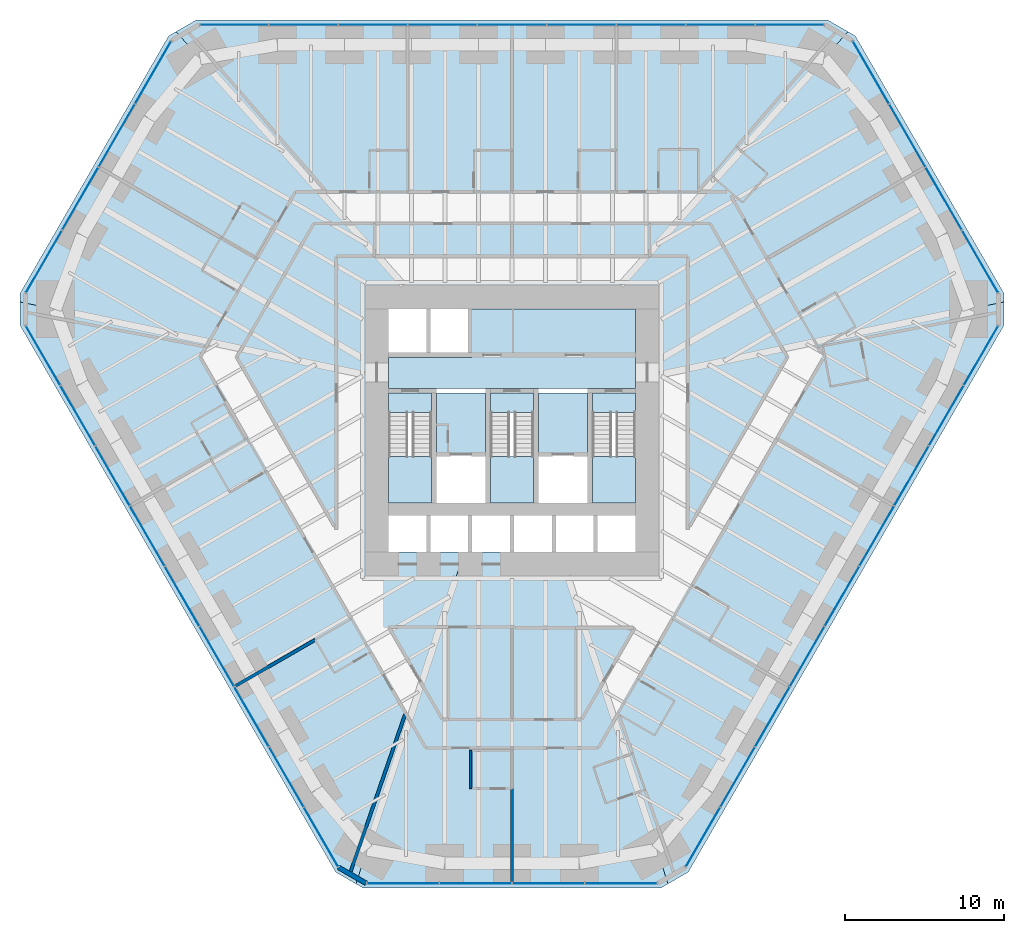
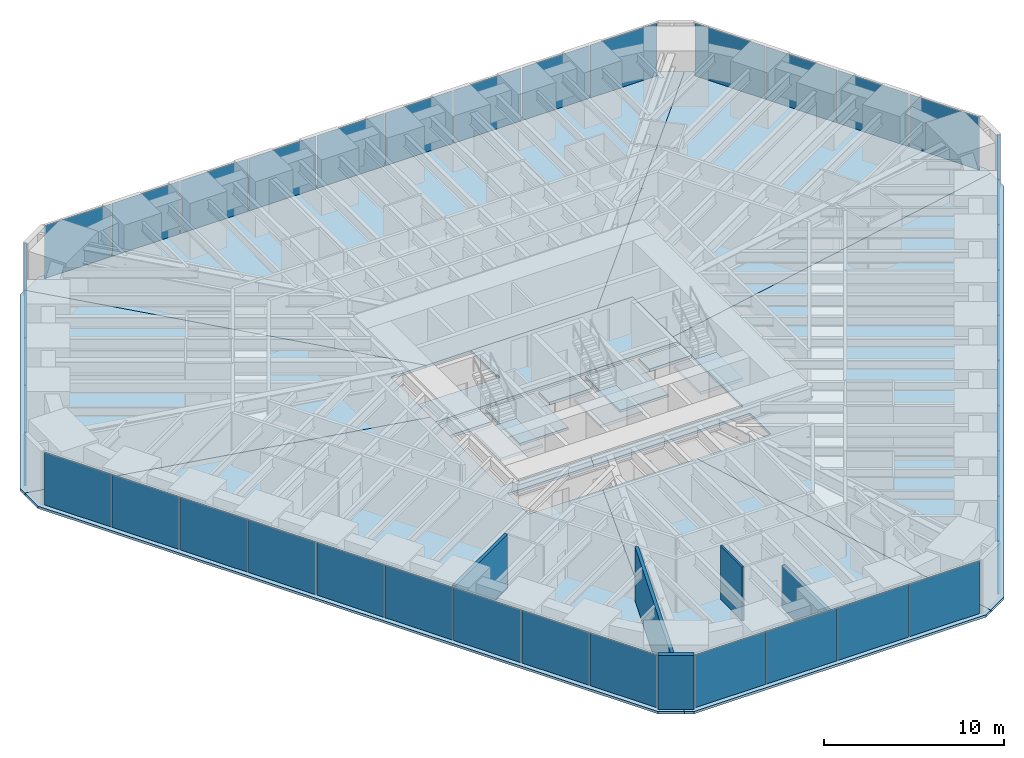
# One storey, part 10 of 17: 39 plates, 15 slabs, 5 walls, 9 elements without a shape of their own.
"""IFC4 building model written with IfcOpenShell, lengths in metres."""

from ifc_helpers import new_model, si_unit, direction, frame, frame_2d, origin, origin_2d, place, context, subcontext, project, spatial, polyline, rectangle, outline, extrude, material, layer, layer_set, type_object, element, aggregate, save


model = new_model("IFC4")

# Units and contexts
model_context = context("Model", 3, precision=1e-05, world=origin(), true_north=direction((0.0, 1.0)))
body_context = subcontext(model_context, "Body", "Model", "MODEL_VIEW")
ifc_project = project(units=[si_unit("LENGTHUNIT", "METRE"), si_unit("AREAUNIT", "SQUARE_METRE"), si_unit("VOLUMEUNIT", "CUBIC_METRE"), si_unit("PLANEANGLEUNIT", "RADIAN"), si_unit("MASSUNIT", "GRAM", prefix="KILO")], contexts=[model_context])

# Site, building, storey
site_placement = place(None, origin())
site = spatial("IfcSite", under=ifc_project, at=site_placement, CompositionType="ELEMENT")
building_placement = place(site_placement, origin())
building = spatial("IfcBuilding", under=site, at=building_placement, Name="Sandreach Pilgrim Tower", CompositionType="ELEMENT")
storey_placement = place(building_placement, frame((0.0, 0.0, 49.60009765625)))
storey = spatial("IfcBuildingStorey", under=building, at=storey_placement, Name="L11", CompositionType="ELEMENT", Elevation=49.60009765625)

# Curtain wall, plates
ifc_material_1 = material(Name="Aluminium framed curtain wall", Category="aluminium")
curtain_wall_type = type_object("IfcCurtainWallType", Name="Hostel tower curtain wall", PredefinedType="NOTDEFINED", material=ifc_material_1)
curtain_wall_1_placement = place(storey_placement, origin())
curtain_wall_1 = element("IfcCurtainWall", 1, at=curtain_wall_1_placement, inside=storey, type_object=curtain_wall_type, Name="CW-1 L11 N", PredefinedType="NOTDEFINED")
ifc_material_2 = material(Name="Insulating glass unit 6 heat-strengthened + 12 argon + 6 heat-strengthened", Category="glass")
ifc_layer_1 = layer(ifc_material_2, 0.02392578125)
ifc_layer_set_1 = layer_set([ifc_layer_1], Name="CW-1 panel")
plate_type = type_object("IfcPlateType", Name="CW-1 panel", PredefinedType="CURTAIN_PANEL", material=ifc_layer_set_1)
plate_1_placement = place(storey_placement, frame((-17.469970703125, 23.94873046875, 0.0), z_axis=(0.0, 0.0, 1.0), x_axis=(1.0, 0.0, 0.0)))
plate_1 = element("IfcPlate", 2, at=plate_1_placement, type_object=plate_type, Name="CW-1 panel 1", PredefinedType="CURTAIN_PANEL", context=body_context, shape_type="SweptSolid", body=[
    extrude(rectangle(XDim=4.274169921875, YDim=0.02392578125, at=origin_2d()), origin(), (0.0, 0.0, 1.0), 3.570068359375),
])
plate_2_placement = place(storey_placement, frame((-13.11474609375, 23.94873046875, 0.0), z_axis=(0.0, 0.0, 1.0), x_axis=(1.0, 0.0, 0.0)))
plate_2 = element("IfcPlate", 3, at=plate_2_placement, type_object=plate_type, Name="CW-1 panel 2", PredefinedType="CURTAIN_PANEL", context=body_context, shape_type="SweptSolid", body=[
    extrude(rectangle(XDim=4.306640625, YDim=0.02392578125, at=origin_2d()), origin(), (0.0, 0.0, 1.0), 3.570068359375),
])
plate_3_placement = place(storey_placement, frame((-8.7431640625, 23.94873046875, 0.0), z_axis=(0.0, 0.0, 1.0), x_axis=(1.0, 0.0, 0.0)))
plate_3 = element("IfcPlate", 4, at=plate_3_placement, type_object=plate_type, Name="CW-1 panel 3", PredefinedType="CURTAIN_PANEL", context=body_context, shape_type="SweptSolid", body=[
    extrude(rectangle(XDim=4.306640625, YDim=0.02392578125, at=origin_2d()), origin(), (0.0, 0.0, 1.0), 3.570068359375),
])
plate_4_placement = place(storey_placement, frame((-4.37158203125, 23.94873046875, 0.0), z_axis=(0.0, 0.0, 1.0), x_axis=(1.0, 0.0, 0.0)))
plate_4 = element("IfcPlate", 5, at=plate_4_placement, type_object=plate_type, Name="CW-1 panel 4", PredefinedType="CURTAIN_PANEL", context=body_context, shape_type="SweptSolid", body=[
    extrude(rectangle(XDim=4.306640625, YDim=0.02392578125, at=origin_2d()), origin(), (0.0, 0.0, 1.0), 3.570068359375),
])
plate_5_placement = place(storey_placement, frame((0.0, 23.94873046875, 0.0), z_axis=(0.0, 0.0, 1.0), x_axis=(1.0, 0.0, 0.0)))
plate_5 = element("IfcPlate", 6, at=plate_5_placement, type_object=plate_type, Name="CW-1 panel 5", PredefinedType="CURTAIN_PANEL", context=body_context, shape_type="SweptSolid", body=[
    extrude(rectangle(XDim=4.306640625, YDim=0.02392578125, at=origin_2d()), origin(), (0.0, 0.0, 1.0), 3.570068359375),
])
plate_6_placement = place(storey_placement, frame((4.37158203125, 23.94873046875, 0.0), z_axis=(0.0, 0.0, 1.0), x_axis=(1.0, 0.0, 0.0)))
plate_6 = element("IfcPlate", 7, at=plate_6_placement, type_object=plate_type, Name="CW-1 panel 6", PredefinedType="CURTAIN_PANEL", context=body_context, shape_type="SweptSolid", body=[
    extrude(rectangle(XDim=4.306640625, YDim=0.02392578125, at=origin_2d()), origin(), (0.0, 0.0, 1.0), 3.570068359375),
])
plate_7_placement = place(storey_placement, frame((8.7431640625, 23.94873046875, 0.0), z_axis=(0.0, 0.0, 1.0), x_axis=(1.0, 0.0, 0.0)))
plate_7 = element("IfcPlate", 8, at=plate_7_placement, type_object=plate_type, Name="CW-1 panel 7", PredefinedType="CURTAIN_PANEL", context=body_context, shape_type="SweptSolid", body=[
    extrude(rectangle(XDim=4.306640625, YDim=0.02392578125, at=origin_2d()), origin(), (0.0, 0.0, 1.0), 3.570068359375),
])
plate_8_placement = place(storey_placement, frame((13.11474609375, 23.94873046875, 0.0), z_axis=(0.0, 0.0, 1.0), x_axis=(1.0, 0.0, 0.0)))
plate_8 = element("IfcPlate", 9, at=plate_8_placement, type_object=plate_type, Name="CW-1 panel 8", PredefinedType="CURTAIN_PANEL", context=body_context, shape_type="SweptSolid", body=[
    extrude(rectangle(XDim=4.306640625, YDim=0.02392578125, at=origin_2d()), origin(), (0.0, 0.0, 1.0), 3.570068359375),
])
plate_9_placement = place(storey_placement, frame((17.469970703125, 23.94873046875, 0.0), z_axis=(0.0, 0.0, 1.0), x_axis=(1.0, 0.0, 0.0)))
plate_9 = element("IfcPlate", 10, at=plate_9_placement, type_object=plate_type, Name="CW-1 panel 9", PredefinedType="CURTAIN_PANEL", context=body_context, shape_type="SweptSolid", body=[
    extrude(rectangle(XDim=4.274169921875, YDim=0.02392578125, at=origin_2d()), origin(), (0.0, 0.0, 1.0), 3.570068359375),
])
aggregate(curtain_wall_1, [plate_1, plate_2, plate_3, plate_4, plate_5, plate_6, plate_7, plate_8, plate_9])

curtain_wall_2_placement = place(storey_placement, origin())
curtain_wall_2 = element("IfcCurtainWall", 11, at=curtain_wall_2_placement, inside=storey, type_object=curtain_wall_type, Name="CW-1 L11 NE", PredefinedType="NOTDEFINED")
plate_10_placement = place(storey_placement, frame((22.558837890625, 20.94873046875, 0.0), z_axis=(0.0, 0.0, 1.0), x_axis=(0.5, -0.866025403784, 0.0)))
plate_10 = element("IfcPlate", 12, at=plate_10_placement, type_object=plate_type, Name="CW-1 panel 1", PredefinedType="CURTAIN_PANEL", context=body_context, shape_type="SweptSolid", body=[
    extrude(rectangle(XDim=4.488525390625, YDim=0.02392578125, at=origin_2d()), origin(), (0.0, 0.0, 1.0), 3.570068359375),
])
plate_11_placement = place(storey_placement, frame((24.84375, 16.9912109375, 0.0), z_axis=(0.0, 0.0, 1.0), x_axis=(0.5, -0.866025403784, 0.0)))
plate_11 = element("IfcPlate", 13, at=plate_11_placement, type_object=plate_type, Name="CW-1 panel 2", PredefinedType="CURTAIN_PANEL", context=body_context, shape_type="SweptSolid", body=[
    extrude(rectangle(XDim=4.52099609375, YDim=0.02392578125, at=origin_2d()), origin(), (0.0, 0.0, 1.0), 3.570068359375),
])
plate_12_placement = place(storey_placement, frame((27.13671875, 13.01953125, 0.0), z_axis=(0.0, 0.0, 1.0), x_axis=(0.5, -0.866025403784, 0.0)))
plate_12 = element("IfcPlate", 14, at=plate_12_placement, type_object=plate_type, Name="CW-1 panel 3", PredefinedType="CURTAIN_PANEL", context=body_context, shape_type="SweptSolid", body=[
    extrude(rectangle(XDim=4.52099609375, YDim=0.02392578125, at=origin_2d()), origin(), (0.0, 0.0, 1.0), 3.570068359375),
])
plate_13_placement = place(storey_placement, frame((29.421630859375, 9.06201171875, 0.0), z_axis=(0.0, 0.0, 1.0), x_axis=(0.5, -0.866025403784, 0.0)))
plate_13 = element("IfcPlate", 15, at=plate_13_placement, type_object=plate_type, Name="CW-1 panel 4", PredefinedType="CURTAIN_PANEL", context=body_context, shape_type="SweptSolid", body=[
    extrude(rectangle(XDim=4.488525390625, YDim=0.02392578125, at=origin_2d()), origin(), (0.0, 0.0, 1.0), 3.570068359375),
])
aggregate(curtain_wall_2, [plate_10, plate_11, plate_12, plate_13])

curtain_wall_3_placement = place(storey_placement, origin())
curtain_wall_3 = element("IfcCurtainWall", 16, at=curtain_wall_3_placement, inside=storey, type_object=curtain_wall_type, Name="CW-1 L11 SE", PredefinedType="NOTDEFINED")
plate_14_placement = place(storey_placement, frame((29.475341796875, 3.1552734375, 0.0), z_axis=(0.0, 0.0, 1.0), x_axis=(-0.5, -0.866025403784, 0.0)))
plate_14 = element("IfcPlate", 17, at=plate_14_placement, type_object=plate_type, Name="CW-1 panel 1", PredefinedType="CURTAIN_PANEL", context=body_context, shape_type="SweptSolid", body=[
    extrude(rectangle(XDim=4.274169921875, YDim=0.02392578125, at=origin_2d()), origin(), (0.0, 0.0, 1.0), 3.570068359375),
])
plate_15_placement = place(storey_placement, frame((27.297607421875, -0.61669921875, 0.0), z_axis=(0.0, 0.0, 1.0), x_axis=(-0.5, -0.866025403784, 0.0)))
plate_15 = element("IfcPlate", 18, at=plate_15_placement, type_object=plate_type, Name="CW-1 panel 2", PredefinedType="CURTAIN_PANEL", context=body_context, shape_type="SweptSolid", body=[
    extrude(rectangle(XDim=4.306640625, YDim=0.02392578125, at=origin_2d()), origin(), (0.0, 0.0, 1.0), 3.570068359375),
])
plate_16_placement = place(storey_placement, frame((25.11181640625, -4.402587890625, 0.0), z_axis=(0.0, 0.0, 1.0), x_axis=(-0.5, -0.866025403784, 0.0)))
plate_16 = element("IfcPlate", 19, at=plate_16_placement, type_object=plate_type, Name="CW-1 panel 3", PredefinedType="CURTAIN_PANEL", context=body_context, shape_type="SweptSolid", body=[
    extrude(rectangle(XDim=4.306640625, YDim=0.02392578125, at=origin_2d()), origin(), (0.0, 0.0, 1.0), 3.570068359375),
])
plate_17_placement = place(storey_placement, frame((22.926025390625, -8.1884765625, 0.0), z_axis=(0.0, 0.0, 1.0), x_axis=(-0.5, -0.866025403784, 0.0)))
plate_17 = element("IfcPlate", 20, at=plate_17_placement, type_object=plate_type, Name="CW-1 panel 4", PredefinedType="CURTAIN_PANEL", context=body_context, shape_type="SweptSolid", body=[
    extrude(rectangle(XDim=4.306640625, YDim=0.02392578125, at=origin_2d()), origin(), (0.0, 0.0, 1.0), 3.570068359375),
])
plate_18_placement = place(storey_placement, frame((20.740234375, -11.974365234375, 0.0), z_axis=(0.0, 0.0, 1.0), x_axis=(-0.5, -0.866025403784, 0.0)))
plate_18 = element("IfcPlate", 21, at=plate_18_placement, type_object=plate_type, Name="CW-1 panel 5", PredefinedType="CURTAIN_PANEL", context=body_context, shape_type="SweptSolid", body=[
    extrude(rectangle(XDim=4.306640625, YDim=0.02392578125, at=origin_2d()), origin(), (0.0, 0.0, 1.0), 3.570068359375),
])
plate_19_placement = place(storey_placement, frame((18.554443359375, -15.76025390625, 0.0), z_axis=(0.0, 0.0, 1.0), x_axis=(-0.5, -0.866025403784, 0.0)))
plate_19 = element("IfcPlate", 22, at=plate_19_placement, type_object=plate_type, Name="CW-1 panel 6", PredefinedType="CURTAIN_PANEL", context=body_context, shape_type="SweptSolid", body=[
    extrude(rectangle(XDim=4.306640625, YDim=0.02392578125, at=origin_2d()), origin(), (0.0, 0.0, 1.0), 3.570068359375),
])
plate_20_placement = place(storey_placement, frame((16.36865234375, -19.546142578125, 0.0), z_axis=(0.0, 0.0, 1.0), x_axis=(-0.5, -0.866025403784, 0.0)))
plate_20 = element("IfcPlate", 23, at=plate_20_placement, type_object=plate_type, Name="CW-1 panel 7", PredefinedType="CURTAIN_PANEL", context=body_context, shape_type="SweptSolid", body=[
    extrude(rectangle(XDim=4.306640625, YDim=0.02392578125, at=origin_2d()), origin(), (0.0, 0.0, 1.0), 3.570068359375),
])
plate_21_placement = place(storey_placement, frame((14.182861328125, -23.33203125, 0.0), z_axis=(0.0, 0.0, 1.0), x_axis=(-0.5, -0.866025403784, 0.0)))
plate_21 = element("IfcPlate", 24, at=plate_21_placement, type_object=plate_type, Name="CW-1 panel 8", PredefinedType="CURTAIN_PANEL", context=body_context, shape_type="SweptSolid", body=[
    extrude(rectangle(XDim=4.306640625, YDim=0.02392578125, at=origin_2d()), origin(), (0.0, 0.0, 1.0), 3.570068359375),
])
plate_22_placement = place(storey_placement, frame((12.005126953125, -27.103759765625, 0.0), z_axis=(0.0, 0.0, 1.0), x_axis=(-0.5, -0.866025403784, 0.0)))
plate_22 = element("IfcPlate", 25, at=plate_22_placement, type_object=plate_type, Name="CW-1 panel 9", PredefinedType="CURTAIN_PANEL", context=body_context, shape_type="SweptSolid", body=[
    extrude(rectangle(XDim=4.274169921875, YDim=0.02392578125, at=origin_2d()), origin(), (0.0, 0.0, 1.0), 3.570068359375),
])
aggregate(curtain_wall_3, [plate_14, plate_15, plate_16, plate_17, plate_18, plate_19, plate_20, plate_21, plate_22])

curtain_wall_4_placement = place(storey_placement, origin())
curtain_wall_4 = element("IfcCurtainWall", 26, at=curtain_wall_4_placement, inside=storey, type_object=curtain_wall_type, Name="CW-1 L11 S", PredefinedType="NOTDEFINED")
plate_23_placement = place(storey_placement, frame((6.86279296875, -30.010986328125, 0.0), z_axis=(0.0, 0.0, 1.0), x_axis=(-1.0, 0.0, 0.0)))
plate_23 = element("IfcPlate", 27, at=plate_23_placement, type_object=plate_type, Name="CW-1 panel 1", PredefinedType="CURTAIN_PANEL", context=body_context, shape_type="SweptSolid", body=[
    extrude(rectangle(XDim=4.488525390625, YDim=0.02392578125, at=origin_2d()), origin(), (0.0, 0.0, 1.0), 3.570068359375),
])
plate_24_placement = place(storey_placement, frame((2.29296875, -30.010986328125, 0.0), z_axis=(0.0, 0.0, 1.0), x_axis=(-1.0, 0.0, 0.0)))
plate_24 = element("IfcPlate", 28, at=plate_24_placement, type_object=plate_type, Name="CW-1 panel 2", PredefinedType="CURTAIN_PANEL", context=body_context, shape_type="SweptSolid", body=[
    extrude(rectangle(XDim=4.52099609375, YDim=0.02392578125, at=origin_2d()), origin(), (0.0, 0.0, 1.0), 3.570068359375),
])
plate_25_placement = place(storey_placement, frame((-2.29296875, -30.010986328125, 0.0), z_axis=(0.0, 0.0, 1.0), x_axis=(-1.0, 0.0, 0.0)))
plate_25 = element("IfcPlate", 29, at=plate_25_placement, type_object=plate_type, Name="CW-1 panel 3", PredefinedType="CURTAIN_PANEL", context=body_context, shape_type="SweptSolid", body=[
    extrude(rectangle(XDim=4.52099609375, YDim=0.02392578125, at=origin_2d()), origin(), (0.0, 0.0, 1.0), 3.570068359375),
])
plate_26_placement = place(storey_placement, frame((-6.86279296875, -30.010986328125, 0.0), z_axis=(0.0, 0.0, 1.0), x_axis=(-1.0, 0.0, 0.0)))
plate_26 = element("IfcPlate", 30, at=plate_26_placement, type_object=plate_type, Name="CW-1 panel 4", PredefinedType="CURTAIN_PANEL", context=body_context, shape_type="SweptSolid", body=[
    extrude(rectangle(XDim=4.488525390625, YDim=0.02392578125, at=origin_2d()), origin(), (0.0, 0.0, 1.0), 3.570068359375),
])
aggregate(curtain_wall_4, [plate_23, plate_24, plate_25, plate_26])

curtain_wall_5_placement = place(storey_placement, origin())
curtain_wall_5 = element("IfcCurtainWall", 31, at=curtain_wall_5_placement, inside=storey, type_object=curtain_wall_type, Name="CW-1 L11 SW", PredefinedType="NOTDEFINED")
plate_27_placement = place(storey_placement, frame((-12.005126953125, -27.103759765625, 0.0), z_axis=(0.0, 0.0, 1.0), x_axis=(-0.5, 0.866025403784, 0.0)))
plate_27 = element("IfcPlate", 32, at=plate_27_placement, type_object=plate_type, Name="CW-1 panel 1", PredefinedType="CURTAIN_PANEL", context=body_context, shape_type="SweptSolid", body=[
    extrude(rectangle(XDim=4.274169921875, YDim=0.02392578125, at=origin_2d()), origin(), (0.0, 0.0, 1.0), 3.570068359375),
])
plate_28_placement = place(storey_placement, frame((-14.182861328125, -23.33203125, 0.0), z_axis=(0.0, 0.0, 1.0), x_axis=(-0.5, 0.866025403784, 0.0)))
plate_28 = element("IfcPlate", 33, at=plate_28_placement, type_object=plate_type, Name="CW-1 panel 2", PredefinedType="CURTAIN_PANEL", context=body_context, shape_type="SweptSolid", body=[
    extrude(rectangle(XDim=4.306640625, YDim=0.02392578125, at=origin_2d()), origin(), (0.0, 0.0, 1.0), 3.570068359375),
])
plate_29_placement = place(storey_placement, frame((-16.36865234375, -19.546142578125, 0.0), z_axis=(0.0, 0.0, 1.0), x_axis=(-0.5, 0.866025403784, 0.0)))
plate_29 = element("IfcPlate", 34, at=plate_29_placement, type_object=plate_type, Name="CW-1 panel 3", PredefinedType="CURTAIN_PANEL", context=body_context, shape_type="SweptSolid", body=[
    extrude(rectangle(XDim=4.306640625, YDim=0.02392578125, at=origin_2d()), origin(), (0.0, 0.0, 1.0), 3.570068359375),
])
plate_30_placement = place(storey_placement, frame((-18.554443359375, -15.76025390625, 0.0), z_axis=(0.0, 0.0, 1.0), x_axis=(-0.5, 0.866025403784, 0.0)))
plate_30 = element("IfcPlate", 35, at=plate_30_placement, type_object=plate_type, Name="CW-1 panel 4", PredefinedType="CURTAIN_PANEL", context=body_context, shape_type="SweptSolid", body=[
    extrude(rectangle(XDim=4.306640625, YDim=0.02392578125, at=origin_2d()), origin(), (0.0, 0.0, 1.0), 3.570068359375),
])
plate_31_placement = place(storey_placement, frame((-20.740234375, -11.974365234375, 0.0), z_axis=(0.0, 0.0, 1.0), x_axis=(-0.5, 0.866025403784, 0.0)))
plate_31 = element("IfcPlate", 36, at=plate_31_placement, type_object=plate_type, Name="CW-1 panel 5", PredefinedType="CURTAIN_PANEL", context=body_context, shape_type="SweptSolid", body=[
    extrude(rectangle(XDim=4.306640625, YDim=0.02392578125, at=origin_2d()), origin(), (0.0, 0.0, 1.0), 3.570068359375),
])
plate_32_placement = place(storey_placement, frame((-22.926025390625, -8.1884765625, 0.0), z_axis=(0.0, 0.0, 1.0), x_axis=(-0.5, 0.866025403784, 0.0)))
plate_32 = element("IfcPlate", 37, at=plate_32_placement, type_object=plate_type, Name="CW-1 panel 6", PredefinedType="CURTAIN_PANEL", context=body_context, shape_type="SweptSolid", body=[
    extrude(rectangle(XDim=4.306640625, YDim=0.02392578125, at=origin_2d()), origin(), (0.0, 0.0, 1.0), 3.570068359375),
])
plate_33_placement = place(storey_placement, frame((-25.11181640625, -4.402587890625, 0.0), z_axis=(0.0, 0.0, 1.0), x_axis=(-0.5, 0.866025403784, 0.0)))
plate_33 = element("IfcPlate", 38, at=plate_33_placement, type_object=plate_type, Name="CW-1 panel 7", PredefinedType="CURTAIN_PANEL", context=body_context, shape_type="SweptSolid", body=[
    extrude(rectangle(XDim=4.306640625, YDim=0.02392578125, at=origin_2d()), origin(), (0.0, 0.0, 1.0), 3.570068359375),
])
plate_34_placement = place(storey_placement, frame((-27.297607421875, -0.61669921875, 0.0), z_axis=(0.0, 0.0, 1.0), x_axis=(-0.5, 0.866025403784, 0.0)))
plate_34 = element("IfcPlate", 39, at=plate_34_placement, type_object=plate_type, Name="CW-1 panel 8", PredefinedType="CURTAIN_PANEL", context=body_context, shape_type="SweptSolid", body=[
    extrude(rectangle(XDim=4.306640625, YDim=0.02392578125, at=origin_2d()), origin(), (0.0, 0.0, 1.0), 3.570068359375),
])
plate_35_placement = place(storey_placement, frame((-29.475341796875, 3.1552734375, 0.0), z_axis=(0.0, 0.0, 1.0), x_axis=(-0.5, 0.866025403784, 0.0)))
plate_35 = element("IfcPlate", 40, at=plate_35_placement, type_object=plate_type, Name="CW-1 panel 9", PredefinedType="CURTAIN_PANEL", context=body_context, shape_type="SweptSolid", body=[
    extrude(rectangle(XDim=4.274169921875, YDim=0.02392578125, at=origin_2d()), origin(), (0.0, 0.0, 1.0), 3.570068359375),
])
aggregate(curtain_wall_5, [plate_27, plate_28, plate_29, plate_30, plate_31, plate_32, plate_33, plate_34, plate_35])

curtain_wall_6_placement = place(storey_placement, origin())
curtain_wall_6 = element("IfcCurtainWall", 41, at=curtain_wall_6_placement, inside=storey, type_object=curtain_wall_type, Name="CW-1 L11 NW", PredefinedType="NOTDEFINED")
plate_36_placement = place(storey_placement, frame((-29.421630859375, 9.06201171875, 0.0), z_axis=(0.0, 0.0, 1.0), x_axis=(0.5, 0.866025403784, 0.0)))
plate_36 = element("IfcPlate", 42, at=plate_36_placement, type_object=plate_type, Name="CW-1 panel 1", PredefinedType="CURTAIN_PANEL", context=body_context, shape_type="SweptSolid", body=[
    extrude(rectangle(XDim=4.488525390625, YDim=0.02392578125, at=origin_2d()), origin(), (0.0, 0.0, 1.0), 3.570068359375),
])
plate_37_placement = place(storey_placement, frame((-27.13671875, 13.01953125, 0.0), z_axis=(0.0, 0.0, 1.0), x_axis=(0.5, 0.866025403784, 0.0)))
plate_37 = element("IfcPlate", 43, at=plate_37_placement, type_object=plate_type, Name="CW-1 panel 2", PredefinedType="CURTAIN_PANEL", context=body_context, shape_type="SweptSolid", body=[
    extrude(rectangle(XDim=4.52099609375, YDim=0.02392578125, at=origin_2d()), origin(), (0.0, 0.0, 1.0), 3.570068359375),
])
plate_38_placement = place(storey_placement, frame((-24.84375, 16.9912109375, 0.0), z_axis=(0.0, 0.0, 1.0), x_axis=(0.5, 0.866025403784, 0.0)))
plate_38 = element("IfcPlate", 44, at=plate_38_placement, type_object=plate_type, Name="CW-1 panel 3", PredefinedType="CURTAIN_PANEL", context=body_context, shape_type="SweptSolid", body=[
    extrude(rectangle(XDim=4.52099609375, YDim=0.02392578125, at=origin_2d()), origin(), (0.0, 0.0, 1.0), 3.570068359375),
])
plate_39_placement = place(storey_placement, frame((-22.558837890625, 20.94873046875, 0.0), z_axis=(0.0, 0.0, 1.0), x_axis=(0.5, 0.866025403784, 0.0)))
plate_39 = element("IfcPlate", 45, at=plate_39_placement, type_object=plate_type, Name="CW-1 panel 4", PredefinedType="CURTAIN_PANEL", context=body_context, shape_type="SweptSolid", body=[
    extrude(rectangle(XDim=4.488525390625, YDim=0.02392578125, at=origin_2d()), origin(), (0.0, 0.0, 1.0), 3.570068359375),
])
aggregate(curtain_wall_6, [plate_36, plate_37, plate_38, plate_39])

# Slabs
ifc_material_3 = material(Name="Concrete 8000 psi", Category="concrete")
ifc_layer_2 = layer(ifc_material_3, 0.159912109375)
ifc_layer_set_2 = layer_set([ifc_layer_2], Name="Composite floor slab 160")
slab_type_1 = type_object("IfcSlabType", Name="Composite floor slab 160", PredefinedType="FLOOR", material=ifc_layer_set_2)
slab_1_placement = place(storey_placement, frame((0.0, 0.0, -0.16015625)))
element("IfcSlab", 46, at=slab_1_placement, inside=storey, type_object=slab_type_1, Name="Floor slab L11 N sector", PredefinedType="FLOOR", context=body_context, shape_type="SweptSolid", body=[
    extrude(outline(polyline([(-19.84521484375, 24.248779296875), (19.84521484375, 24.248779296875), (21.115478515625, 23.515380859375), (5.477294921875, 6.10009765625), (-5.477294921875, 6.10009765625), (-21.115478515625, 23.515380859375), (-19.84521484375, 24.248779296875)])), origin(), (0.0, 0.0, 1.0), 0.16015625),
])
slab_2_placement = place(storey_placement, frame((0.0, 0.0, -0.16015625)))
element("IfcSlab", 47, at=slab_2_placement, inside=storey, type_object=slab_type_1, Name="Floor slab L11 NE sector", PredefinedType="FLOOR", context=body_context, shape_type="SweptSolid", body=[
    extrude(outline(polyline([(21.577392578125, 23.248779296875), (30.922607421875, 7.062255859375), (30.922607421875, 6.52880859375), (7.75, 1.63623046875), (7.75, 6.10009765625), (5.477294921875, 6.10009765625), (21.115478515625, 23.515380859375), (21.577392578125, 23.248779296875)])), origin(), (0.0, 0.0, 1.0), 0.16015625),
])
slab_3_placement = place(storey_placement, frame((0.0, 0.0, -0.16015625)))
element("IfcSlab", 48, at=slab_3_placement, inside=storey, type_object=slab_type_1, Name="Floor slab L11 SE sector", PredefinedType="FLOOR", context=body_context, shape_type="SweptSolid", body=[
    extrude(outline(polyline([(11.077392578125, -29.310791015625), (9.80712890625, -30.044189453125), (3.003173828125, -9.199951171875), (7.75, -9.199951171875), (7.75, -6.89990234375), (-2.252197265625, -6.89990234375), (-1.9912109375, -6.10009765625), (7.75, -6.10009765625), (7.75, 1.63623046875), (30.922607421875, 6.52880859375), (30.922607421875, 5.062255859375), (11.077392578125, -29.310791015625)])), origin(), (0.0, 0.0, 1.0), 0.16015625),
])
slab_4_placement = place(storey_placement, frame((0.0, 0.0, -0.16015625)))
element("IfcSlab", 49, at=slab_4_placement, inside=storey, type_object=slab_type_1, Name="Floor slab L11 S sector", PredefinedType="FLOOR", context=body_context, shape_type="SweptSolid", body=[
    extrude(outline(polyline([(9.34521484375, -30.310791015625), (-9.34521484375, -30.310791015625), (-9.80712890625, -30.044189453125), (-3.003173828125, -9.199951171875), (3.003173828125, -9.199951171875), (9.80712890625, -30.044189453125), (9.34521484375, -30.310791015625)])), origin(), (0.0, 0.0, 1.0), 0.16015625),
])
slab_5_placement = place(storey_placement, frame((0.0, 0.0, -0.16015625)))
element("IfcSlab", 50, at=slab_5_placement, inside=storey, type_object=slab_type_1, Name="Floor slab L11 SW sector", PredefinedType="FLOOR", context=body_context, shape_type="SweptSolid", body=[
    extrude(outline(polyline([(-11.077392578125, -29.310791015625), (-30.922607421875, 5.062255859375), (-30.922607421875, 6.52880859375), (-7.75, 1.63623046875), (-7.75, -6.10009765625), (-1.9912109375, -6.10009765625), (-2.252197265625, -6.89990234375), (-7.75, -6.89990234375), (-7.75, -9.199951171875), (-3.003173828125, -9.199951171875), (-9.80712890625, -30.044189453125), (-11.077392578125, -29.310791015625)])), origin(), (0.0, 0.0, 1.0), 0.16015625),
])
slab_6_placement = place(storey_placement, frame((0.0, 0.0, -0.16015625)))
element("IfcSlab", 51, at=slab_6_placement, inside=storey, type_object=slab_type_1, Name="Floor slab L11 NW sector", PredefinedType="FLOOR", context=body_context, shape_type="SweptSolid", body=[
    extrude(outline(polyline([(-30.922607421875, 7.062255859375), (-21.577392578125, 23.248779296875), (-21.115478515625, 23.515380859375), (-5.477294921875, 6.10009765625), (-7.75, 6.10009765625), (-7.75, 1.63623046875), (-30.922607421875, 6.52880859375), (-30.922607421875, 7.062255859375)])), origin(), (0.0, 0.0, 1.0), 0.16015625),
])
slab_7_placement = place(storey_placement, frame((0.0, 0.0, -0.16015625)))
element("IfcSlab", 52, at=slab_7_placement, inside=storey, type_object=slab_type_1, Name="Core floor slab and stores L11", PredefinedType="FLOOR", context=body_context, shape_type="SweptSolid", body=[
    extrude(outline(polyline([(-7.75, 3.050048828125), (-5.375, 3.050048828125), (-5.125, 3.050048828125), (-2.5, 3.050048828125), (-2.5, 3.35009765625), (-2.60009765625, 3.35009765625), (-2.60009765625, 6.10009765625), (7.75, 6.10009765625), (7.75, 1.10009765625), (5.050048828125, 1.10009765625), (4.75, 1.10009765625), (1.64990234375, 1.10009765625), (1.35009765625, 1.10009765625), (-1.35009765625, 1.10009765625), (-1.64990234375, 1.10009765625), (-4.75, 1.10009765625), (-5.050048828125, 1.10009765625), (-7.75, 1.10009765625), (-7.75, 3.050048828125)])), origin(), (0.0, 0.0, 1.0), 0.16015625),
])
slab_8_placement = place(storey_placement, frame((0.0, 0.0, -0.16015625)))
element("IfcSlab", 53, at=slab_8_placement, inside=storey, type_object=slab_type_1, Name="Core floor slab and stores L11 2", PredefinedType="FLOOR", context=body_context, shape_type="SweptSolid", body=[
    extrude(outline(polyline([(-1.64990234375, -3.050048828125), (-4.75, -3.050048828125), (-4.75, 0.800048828125), (-1.64990234375, 0.800048828125), (-1.64990234375, -3.050048828125)])), origin(), (0.0, 0.0, 1.0), 0.16015625),
])
slab_9_placement = place(storey_placement, frame((0.0, 0.0, -0.16015625)))
element("IfcSlab", 54, at=slab_9_placement, inside=storey, type_object=slab_type_1, Name="Core floor slab and stores L11 3", PredefinedType="FLOOR", context=body_context, shape_type="SweptSolid", body=[
    extrude(outline(polyline([(4.75, -3.050048828125), (1.64990234375, -3.050048828125), (1.64990234375, 0.800048828125), (4.75, 0.800048828125), (4.75, -3.050048828125)])), origin(), (0.0, 0.0, 1.0), 0.16015625),
])

# Stair, slabs
ifc_material_4 = material(Name="Concrete 8000 psi", Category="concrete")
stair_type = type_object("IfcStairType", Name="Core exit stair", PredefinedType="HALF_TURN_STAIR", material=ifc_material_4)
stair_1_placement = place(storey_placement, origin())
stair_1 = element("IfcStair", 55, at=stair_1_placement, inside=storey, type_object=stair_type, Name="Exit stair ST1 L11", PredefinedType="HALF_TURN_STAIR")
ifc_material_5 = material(Name="Concrete 8000 psi", Category="concrete")
ifc_layer_3 = layer(ifc_material_5, 0.199951171875)
ifc_layer_set_3 = layer_set([ifc_layer_3], Name="Core stair landing 200")
slab_type_2 = type_object("IfcSlabType", Name="Core stair landing 200", PredefinedType="LANDING", material=ifc_layer_set_3)
slab_10_placement = place(storey_placement, frame((0.0, 0.0, -0.2001953125)))
slab_10 = element("IfcSlab", 56, at=slab_10_placement, type_object=slab_type_2, Name="ST1 landing 1", PredefinedType="LANDING", context=body_context, shape_type="SweptSolid", body=[
    extrude(outline(polyline([(-7.75, -0.425048828125), (-5.050048828125, -0.425048828125), (-5.050048828125, 0.800048828125), (-7.75, 0.800048828125), (-7.75, -0.425048828125)])), origin(), (0.0, 0.0, 1.0), 0.2001953125),
])
slab_11_placement = place(storey_placement, frame((0.0, 0.0, 1.699951171875)))
slab_11 = element("IfcSlab", 57, at=slab_11_placement, type_object=slab_type_2, Name="ST1 landing 2", PredefinedType="LANDING", context=body_context, shape_type="SweptSolid", body=[
    extrude(outline(polyline([(-7.75, -6.10009765625), (-5.050048828125, -6.10009765625), (-5.050048828125, -3.175048828125), (-7.75, -3.175048828125), (-7.75, -6.10009765625)])), origin(), (0.0, 0.0, 1.0), 0.199951171875),
])
aggregate(stair_1, [slab_10, slab_11])

stair_2_placement = place(storey_placement, origin())
stair_2 = element("IfcStair", 58, at=stair_2_placement, inside=storey, type_object=stair_type, Name="Exit stair ST3 L11", PredefinedType="HALF_TURN_STAIR")
slab_12_placement = place(storey_placement, frame((0.0, 0.0, -0.2001953125)))
slab_12 = element("IfcSlab", 59, at=slab_12_placement, type_object=slab_type_2, Name="ST3 landing 1", PredefinedType="LANDING", context=body_context, shape_type="SweptSolid", body=[
    extrude(outline(polyline([(-1.35009765625, -0.425048828125), (1.35009765625, -0.425048828125), (1.35009765625, 0.800048828125), (-1.35009765625, 0.800048828125), (-1.35009765625, -0.425048828125)])), origin(), (0.0, 0.0, 1.0), 0.2001953125),
])
slab_13_placement = place(storey_placement, frame((0.0, 0.0, 1.699951171875)))
slab_13 = element("IfcSlab", 60, at=slab_13_placement, type_object=slab_type_2, Name="ST3 landing 2", PredefinedType="LANDING", context=body_context, shape_type="SweptSolid", body=[
    extrude(outline(polyline([(-1.35009765625, -6.10009765625), (1.35009765625, -6.10009765625), (1.35009765625, -3.175048828125), (-1.35009765625, -3.175048828125), (-1.35009765625, -6.10009765625)])), origin(), (0.0, 0.0, 1.0), 0.199951171875),
])
aggregate(stair_2, [slab_12, slab_13])

stair_3_placement = place(storey_placement, origin())
stair_3 = element("IfcStair", 61, at=stair_3_placement, inside=storey, type_object=stair_type, Name="Exit stair ST2 L11", PredefinedType="HALF_TURN_STAIR")
slab_14_placement = place(storey_placement, frame((0.0, 0.0, -0.2001953125)))
slab_14 = element("IfcSlab", 62, at=slab_14_placement, type_object=slab_type_2, Name="ST2 landing 1", PredefinedType="LANDING", context=body_context, shape_type="SweptSolid", body=[
    extrude(outline(polyline([(5.050048828125, -0.425048828125), (7.75, -0.425048828125), (7.75, 0.800048828125), (5.050048828125, 0.800048828125), (5.050048828125, -0.425048828125)])), origin(), (0.0, 0.0, 1.0), 0.2001953125),
])
slab_15_placement = place(storey_placement, frame((0.0, 0.0, 1.699951171875)))
slab_15 = element("IfcSlab", 63, at=slab_15_placement, type_object=slab_type_2, Name="ST2 landing 2", PredefinedType="LANDING", context=body_context, shape_type="SweptSolid", body=[
    extrude(outline(polyline([(5.050048828125, -6.10009765625), (7.75, -6.10009765625), (7.75, -3.175048828125), (5.050048828125, -3.175048828125), (5.050048828125, -6.10009765625)])), origin(), (0.0, 0.0, 1.0), 0.199951171875),
])
aggregate(stair_3, [slab_14, slab_15])

# Walls
ifc_material_6 = material(Name="Moisture-resistant gypsum board on steel studs", Category="steel")
ifc_layer_4 = layer(ifc_material_6, 0.1201171875)
ifc_layer_set_4 = layer_set([ifc_layer_4], Name="Bathroom partition 120")
wall_type_1 = type_object("IfcWallType", Name="Bathroom partition 120", PredefinedType="PARTITIONING", material=ifc_layer_set_4)
wall_1_placement = place(storey_placement, frame((-2.60009765625, -21.659912109375, 0.0), z_axis=(0.0, 0.0, 1.0), x_axis=(0.0, -1.0, 0.0)))
element("IfcWall", 64, at=wall_1_placement, inside=storey, type_object=wall_type_1, Name="Bathroom partition L11-053", PredefinedType="PARTITIONING", context=body_context, shape_type="SweptSolid", body=[
    extrude(rectangle(XDim=2.400146484375, YDim=0.1201171875, at=frame_2d((1.2001953125, 0.0))), origin(), (0.0, 0.0, 1.0), 3.639892578125),
])
ifc_material_7 = material(Name="Double steel stud acoustic wall, gypsum board", Category="steel")
ifc_layer_5 = layer(ifc_material_7, 0.199951171875)
ifc_layer_set_5 = layer_set([ifc_layer_5], Name="Party wall 200")
wall_type_2 = type_object("IfcWallType", Name="Party wall 200", PredefinedType="PARTITIONING", material=ifc_layer_set_5)
wall_2_placement = place(storey_placement, frame((-17.356201171875, -17.590087890625, 0.0), z_axis=(0.0, 0.0, 1.0), x_axis=(0.865929957466, 0.500165281445, 0.0)))
element("IfcWall", 65, at=wall_2_placement, inside=storey, type_object=wall_type_2, Name="Party wall L11-015", PredefinedType="PARTITIONING", context=body_context, shape_type="SweptSolid", body=[
    extrude(rectangle(XDim=5.75830078125, YDim=0.199951171875, at=frame_2d((2.879150390625, 0.0))), origin(), (0.0, 0.0, 1.0), 3.639892578125),
])
wall_3_placement = place(storey_placement, frame((-10.2001953125, -29.441650390625, 0.0), z_axis=(0.0, 0.0, 1.0), x_axis=(0.327375786306, 0.944894223996, 0.0)))
element("IfcWall", 66, at=wall_3_placement, inside=storey, type_object=wall_type_2, Name="Party wall L11-035", PredefinedType="PARTITIONING", context=body_context, shape_type="SweptSolid", body=[
    extrude(rectangle(XDim=10.62255859375, YDim=0.199951171875, at=frame_2d((5.311279296875, 0.0))), origin(), (0.0, 0.0, 1.0), 3.639892578125),
])
wall_4_placement = place(storey_placement, frame((0.0, -29.889892578125, 0.0), z_axis=(0.0, 0.0, 1.0), x_axis=(0.0, 1.0, 0.0)))
element("IfcWall", 67, at=wall_4_placement, inside=storey, type_object=wall_type_2, Name="Party wall L11-056", PredefinedType="PARTITIONING", context=body_context, shape_type="SweptSolid", body=[
    extrude(rectangle(XDim=5.829833984375, YDim=0.199951171875, at=frame_2d((2.9150390625, 0.0))), origin(), (0.0, 0.0, 1.0), 2.860107421875),
])
ifc_material_8 = material(Name="Terracotta rainscreen on concrete", Category="masonry")
ifc_layer_6 = layer(ifc_material_8, 0.300048828125)
ifc_layer_set_6 = layer_set([ifc_layer_6], Name="Terracotta chamfer pier")
wall_type_3 = type_object("IfcWallType", Name="Terracotta chamfer pier", PredefinedType="SOLIDWALL", material=ifc_layer_set_6)
wall_5_placement = place(storey_placement, frame((-9.172119140625, -30.010986328125, 0.0), z_axis=(0.0, 0.0, 1.0), x_axis=(-0.866010750942, 0.50002537861, 0.0)))
element("IfcWall", 68, at=wall_5_placement, inside=storey, type_object=wall_type_3, Name="Chamfer pier L11 S", PredefinedType="SOLIDWALL", context=body_context, shape_type="SweptSolid", body=[
    extrude(rectangle(XDim=2.0, YDim=0.300048828125, at=frame_2d((1.0, 0.0))), origin(), (0.0, 0.0, 1.0), 3.639892578125),
])

save(model, "model.ifc")
